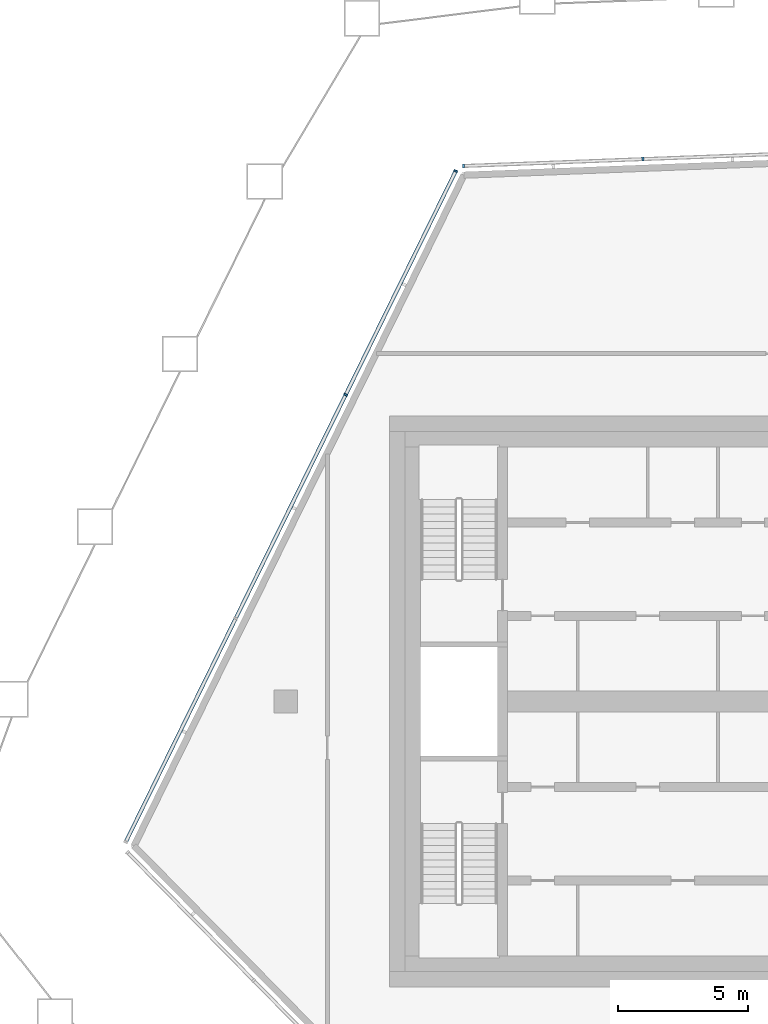
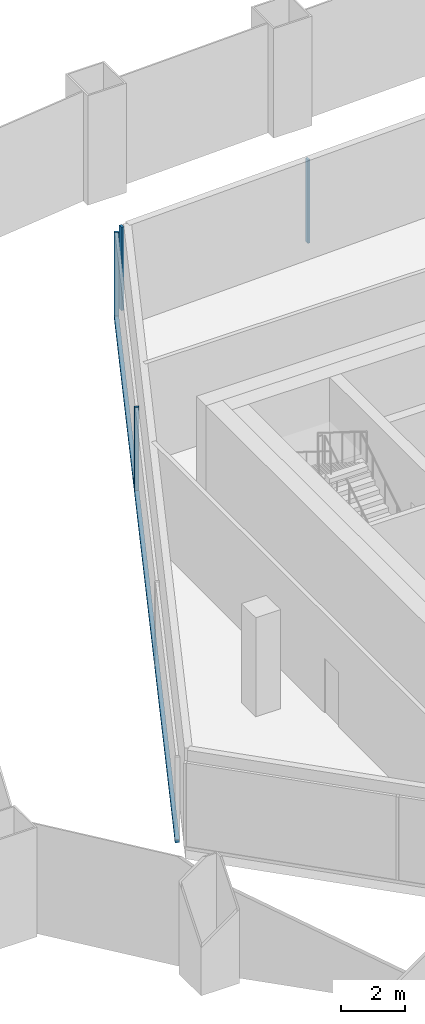
# One storey, part 5 of 18: 5 members, 2 elements without a shape of their own.
"""IFC4 building model written with IfcOpenShell, lengths in metres."""

from ifc_helpers import new_model, si_unit, direction, frame, origin, origin_2d, place, context, subcontext, project, spatial, rectangle, extrude, material, layer, layer_set, material_profile, profile_set, type_object, element, aggregate, save


model = new_model("IFC4")

# Units and contexts
model_context = context("Model", 3, precision=1e-05, world=origin(), true_north=direction((0.0, 1.0)))
body_context = subcontext(model_context, "Body", "Model", "MODEL_VIEW")
ifc_project = project(units=[si_unit("LENGTHUNIT", "METRE"), si_unit("AREAUNIT", "SQUARE_METRE"), si_unit("VOLUMEUNIT", "CUBIC_METRE"), si_unit("PLANEANGLEUNIT", "RADIAN"), si_unit("MASSUNIT", "GRAM", prefix="KILO")], contexts=[model_context])

# Site, building, storey
site_placement = place(None, origin())
site = spatial("IfcSite", under=ifc_project, at=site_placement, CompositionType="ELEMENT")
building_placement = place(site_placement, origin())
building = spatial("IfcBuilding", under=site, at=building_placement, Name="Dongbaek Canopy Tower", CompositionType="ELEMENT")
storey_placement = place(building_placement, frame((0.0, 0.0, 367.39990234375)))
storey = spatial("IfcBuildingStorey", under=building, at=storey_placement, Name="L79", CompositionType="ELEMENT", Elevation=367.39990234375)

# Curtain wall, members
ifc_material_1 = material(Name="Aluminium 6063-T6 pale anodised", Category="aluminium")
ifc_layer = layer(ifc_material_1, 0.14990234375)
ifc_layer_set = layer_set([ifc_layer], Name="CW-7 louvre curtain wall")
curtain_wall_type = type_object("IfcCurtainWallType", Name="CW-7 louvre curtain wall", PredefinedType="NOTDEFINED", material=ifc_layer_set)
curtain_wall_1_placement = place(storey_placement, origin())
curtain_wall_1 = element("IfcCurtainWall", 1, at=curtain_wall_1_placement, inside=storey, type_object=curtain_wall_type, Name="CW-7 louvre wall L79 F3", PredefinedType="NOTDEFINED")
ifc_material_2 = material(Name="Aluminium 6063-T6 pale anodised", Category="aluminium")
ifc_material_profile_1 = material_profile(ifc_material_2, rectangle(XDim=0.14990234375, YDim=0.080078125, at=origin_2d()), Name="CW-7 mullion 80 x 150")
ifc_profile_set_1 = profile_set([ifc_material_profile_1], Name="Aluminium 6063-T6 pale anodised")
member_type_1 = type_object("IfcMemberType", Name="CW-7 mullion 80 x 150", PredefinedType="MULLION", material=ifc_profile_set_1)
member_1_placement = place(storey_placement, frame((-4.24462890625, 20.893798828125, 0.300048828125), z_axis=(0.0, 0.0, 1.0), x_axis=(-0.038231979514, 0.999268890611, 0.0)))
member_1 = element("IfcMember", 2, at=member_1_placement, type_object=member_type_1, Name="CW-7 mullion L79 F3.1.3", PredefinedType="MULLION", context=body_context, shape_type="SweptSolid", body=[
    extrude(rectangle(XDim=0.14990234375, YDim=0.080078125, at=origin_2d()), origin(), (0.0, 0.0, 1.0), 3.199951171875),
])
member_2_placement = place(storey_placement, frame((-11.15185546875, 20.62939453125, 0.300048828125), z_axis=(0.0, 0.0, 1.0), x_axis=(-0.038231979514, 0.999268890611, 0.0)))
member_2 = element("IfcMember", 3, at=member_2_placement, type_object=member_type_1, Name="CW-7 mullion L79 F3.1.4", PredefinedType="MULLION", context=body_context, shape_type="SweptSolid", body=[
    extrude(rectangle(XDim=0.14990234375, YDim=0.080078125, at=origin_2d()), origin(), (0.0, 0.0, 1.0), 3.199951171875),
])
aggregate(curtain_wall_1, [member_1, member_2])

curtain_wall_2_placement = place(storey_placement, origin())
curtain_wall_2 = element("IfcCurtainWall", 4, at=curtain_wall_2_placement, inside=storey, type_object=curtain_wall_type, Name="CW-7 louvre wall L79 F4", PredefinedType="NOTDEFINED")
member_3_placement = place(storey_placement, frame((-11.452392578125, 20.43408203125, 0.300048828125), z_axis=(0.0, 0.0, 1.0), x_axis=(-0.897339163834, 0.441341619439, 0.0)))
member_3 = element("IfcMember", 5, at=member_3_placement, type_object=member_type_1, Name="CW-7 mullion L79 F4.1.1", PredefinedType="MULLION", context=body_context, shape_type="SweptSolid", body=[
    extrude(rectangle(XDim=0.14990234375, YDim=0.080078125, at=origin_2d()), origin(), (0.0, 0.0, 1.0), 3.199951171875),
])
member_4_placement = place(storey_placement, frame((-15.690185546875, 11.818359375, 0.300048828125), z_axis=(0.0, 0.0, 1.0), x_axis=(-0.897339163834, 0.441341619439, 0.0)))
member_4 = element("IfcMember", 6, at=member_4_placement, type_object=member_type_1, Name="CW-7 mullion L79 F4.1.2", PredefinedType="MULLION", context=body_context, shape_type="SweptSolid", body=[
    extrude(rectangle(XDim=0.14990234375, YDim=0.080078125, at=origin_2d()), origin(), (0.0, 0.0, 1.0), 3.199951171875),
])
ifc_material_3 = material(Name="Aluminium 6063-T6 pale anodised", Category="aluminium")
ifc_material_profile_2 = material_profile(ifc_material_3, rectangle(XDim=0.14990234375, YDim=0.1201171875, at=origin_2d()), Name="CW-7 transom 120 x 150")
ifc_profile_set_2 = profile_set([ifc_material_profile_2], Name="Aluminium 6063-T6 pale anodised")
member_type_2 = type_object("IfcMemberType", Name="CW-7 transom 120 x 150", PredefinedType="USERDEFINED", material=ifc_profile_set_2)
member_5_placement = place(storey_placement, frame((-11.452392578125, 20.43408203125, 0.239990234375), z_axis=(-0.441345612399, -0.897337199951, 0.0), x_axis=(0.897337199951, -0.441345612399, 0.0)))
member_5 = element("IfcMember", 7, at=member_5_placement, type_object=member_type_2, Name="CW-7 transom L79 F4.1", ObjectType="TRANSOM", PredefinedType="USERDEFINED", context=body_context, shape_type="SweptSolid", body=[
    extrude(rectangle(XDim=0.14990234375, YDim=0.1201171875, at=origin_2d()), origin(), (0.0, 0.0, 1.0), 28.804931640625),
])
aggregate(curtain_wall_2, [member_5, member_3, member_4])

save(model, "model.ifc")
